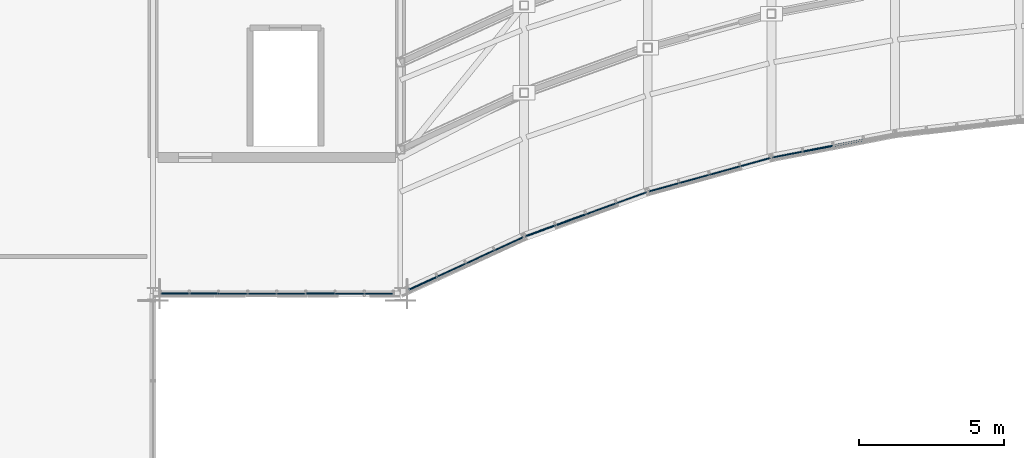
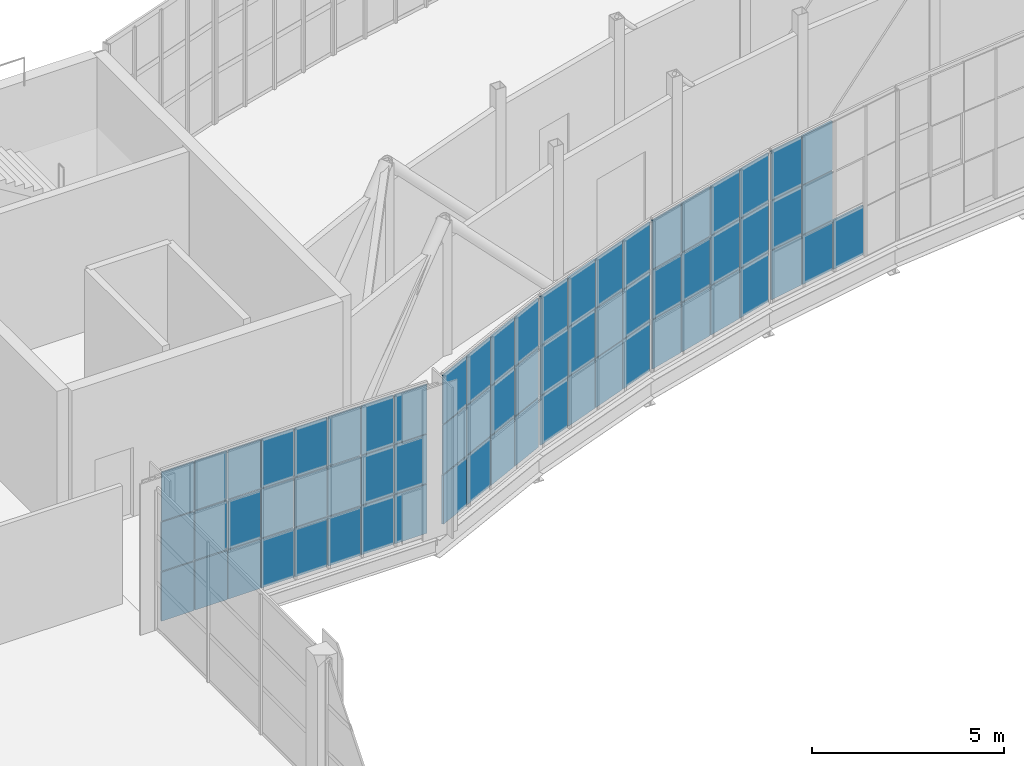
# One storey, part 34 of 46: 67 plates, 5 elements without a shape of their own.
"""IFC4 building model written with IfcOpenShell, lengths in metres."""

from ifc_helpers import new_model, si_unit, direction, frame, origin, origin_2d, place, context, subcontext, project, spatial, rectangle, extrude, material, layer, layer_set, type_object, element, aggregate, save


model = new_model("IFC4")

# Units and contexts
model_context = context("Model", 3, precision=1e-05, world=origin(), true_north=direction((0.0, 1.0)))
body_context = subcontext(model_context, "Body", "Model", "MODEL_VIEW")
ifc_project = project(units=[si_unit("LENGTHUNIT", "METRE"), si_unit("AREAUNIT", "SQUARE_METRE"), si_unit("VOLUMEUNIT", "CUBIC_METRE"), si_unit("PLANEANGLEUNIT", "RADIAN"), si_unit("MASSUNIT", "GRAM", prefix="KILO")], contexts=[model_context])

# Site, building, storey
site_placement = place(None, origin())
site = spatial("IfcSite", under=ifc_project, at=site_placement, CompositionType="ELEMENT")
building_placement = place(site_placement, origin())
building = spatial("IfcBuilding", under=site, at=building_placement, Name="Solvikara Media Centre", CompositionType="ELEMENT")
storey_placement = place(building_placement, frame((0.0, 0.0, 24.60009765625)))
storey = spatial("IfcBuildingStorey", under=building, at=storey_placement, Name="L05", CompositionType="ELEMENT", Elevation=24.60009765625)

# Curtain wall, plates
ifc_material_1 = material(Name="Anodised aluminium EN AW-6063", Category="aluminium")
curtain_wall_type_1 = type_object("IfcCurtainWallType", Name="CW-01", PredefinedType="NOTDEFINED", material=ifc_material_1)
curtain_wall_1_placement = place(storey_placement, origin())
curtain_wall_1 = element("IfcCurtainWall", 1, at=curtain_wall_1_placement, inside=storey, type_object=curtain_wall_type_1, Name="CW-L05-SARC-00", PredefinedType="NOTDEFINED")
ifc_material_2 = material(Name="Laminated solar-control cyan vision glass", Category="glass")
ifc_layer_1 = layer(ifc_material_2, 0.035888671875)
ifc_layer_set_1 = layer_set([ifc_layer_1], Name="Laminated solar-control cyan vision glass")
plate_type_1 = type_object("IfcPlateType", Name="PN-01", PredefinedType="CURTAIN_PANEL", material=ifc_layer_set_1)
plate_1_placement = place(storey_placement, frame((77.277099609375, 19.680908203125, 3.20849609375), z_axis=(0.0, 0.0, 1.0), x_axis=(0.908464413608, 0.417962210264, 0.0)))
plate_1 = element("IfcPlate", 2, at=plate_1_placement, type_object=plate_type_1, Name="CW-L05-SARC-00-P0002", PredefinedType="CURTAIN_PANEL", context=body_context, shape_type="SweptSolid", body=[
    extrude(rectangle(XDim=1.052001953125, YDim=0.035888671875, at=origin_2d()), origin(), (0.0, 0.0, 1.0), 1.556884765625),
])
plate_2_placement = place(storey_placement, frame((78.260009765625, 20.133056640625, 1.62158203125), z_axis=(0.0, 0.0, 1.0), x_axis=(0.908464413608, 0.417962210264, 0.0)))
plate_2 = element("IfcPlate", 3, at=plate_2_placement, type_object=plate_type_1, Name="CW-L05-SARC-00-P0101", PredefinedType="CURTAIN_PANEL", context=body_context, shape_type="SweptSolid", body=[
    extrude(rectangle(XDim=1.052001953125, YDim=0.035888671875, at=origin_2d()), origin(), (0.0, 0.0, 1.0), 1.556884765625),
])
plate_3_placement = place(storey_placement, frame((78.260009765625, 20.133056640625, 3.20849609375), z_axis=(0.0, 0.0, 1.0), x_axis=(0.908464413608, 0.417962210264, 0.0)))
plate_3 = element("IfcPlate", 4, at=plate_3_placement, type_object=plate_type_1, Name="CW-L05-SARC-00-P0102", PredefinedType="CURTAIN_PANEL", context=body_context, shape_type="SweptSolid", body=[
    extrude(rectangle(XDim=1.052001953125, YDim=0.035888671875, at=origin_2d()), origin(), (0.0, 0.0, 1.0), 1.556884765625),
])
plate_4_placement = place(storey_placement, frame((79.242919921875, 20.5859375, 1.62158203125), z_axis=(0.0, 0.0, 1.0), x_axis=(0.908464413608, 0.417962210264, 0.0)))
plate_4 = element("IfcPlate", 5, at=plate_4_placement, type_object=plate_type_1, Name="CW-L05-SARC-00-P0201", PredefinedType="CURTAIN_PANEL", context=body_context, shape_type="SweptSolid", body=[
    extrude(rectangle(XDim=1.052001953125, YDim=0.035888671875, at=origin_2d()), origin(), (0.0, 0.0, 1.0), 1.556884765625),
])
plate_5_placement = place(storey_placement, frame((80.22607421875, 21.0380859375, 3.20849609375), z_axis=(0.0, 0.0, 1.0), x_axis=(0.908464413608, 0.417962210264, 0.0)))
plate_5 = element("IfcPlate", 6, at=plate_5_placement, type_object=plate_type_1, Name="CW-L05-SARC-00-P0302", PredefinedType="CURTAIN_PANEL", context=body_context, shape_type="SweptSolid", body=[
    extrude(rectangle(XDim=1.052001953125, YDim=0.035888671875, at=origin_2d()), origin(), (0.0, 0.0, 1.0), 1.556884765625),
])

curtain_wall_2_placement = place(storey_placement, origin())
curtain_wall_2 = element("IfcCurtainWall", 7, at=curtain_wall_2_placement, inside=storey, type_object=curtain_wall_type_1, Name="CW-L05-SARC-01", PredefinedType="NOTDEFINED")
plate_6_placement = place(storey_placement, frame((81.305908203125, 21.48095703125, 3.20849609375), z_axis=(0.0, 0.0, 1.0), x_axis=(0.939823877818, 0.341659302058, 0.0)))
plate_6 = element("IfcPlate", 8, at=plate_6_placement, type_object=plate_type_1, Name="CW-L05-SARC-01-P0002", PredefinedType="CURTAIN_PANEL", context=body_context, shape_type="SweptSolid", body=[
    extrude(rectangle(XDim=1.0830078125, YDim=0.035888671875, at=origin_2d()), origin(), (0.0, 0.0, 1.0), 1.556884765625),
])
plate_7_placement = place(storey_placement, frame((82.35205078125, 21.861083984375, 0.03466796875), z_axis=(0.0, 0.0, 1.0), x_axis=(0.939823877818, 0.341659302058, 0.0)))
plate_7 = element("IfcPlate", 9, at=plate_7_placement, type_object=plate_type_1, Name="CW-L05-SARC-01-P0100", PredefinedType="CURTAIN_PANEL", context=body_context, shape_type="SweptSolid", body=[
    extrude(rectangle(XDim=1.0830078125, YDim=0.035888671875, at=origin_2d()), origin(), (0.0, 0.0, 1.0), 1.556884765625),
])
plate_8_placement = place(storey_placement, frame((83.39794921875, 22.240966796875, 0.03466796875), z_axis=(0.0, 0.0, 1.0), x_axis=(0.939823877818, 0.341659302058, 0.0)))
plate_8 = element("IfcPlate", 10, at=plate_8_placement, type_object=plate_type_1, Name="CW-L05-SARC-01-P0200", PredefinedType="CURTAIN_PANEL", context=body_context, shape_type="SweptSolid", body=[
    extrude(rectangle(XDim=1.0830078125, YDim=0.035888671875, at=origin_2d()), origin(), (0.0, 0.0, 1.0), 1.556884765625),
])
plate_9_placement = place(storey_placement, frame((83.39794921875, 22.240966796875, 3.20849609375), z_axis=(0.0, 0.0, 1.0), x_axis=(0.939823877818, 0.341659302058, 0.0)))
plate_9 = element("IfcPlate", 11, at=plate_9_placement, type_object=plate_type_1, Name="CW-L05-SARC-01-P0202", PredefinedType="CURTAIN_PANEL", context=body_context, shape_type="SweptSolid", body=[
    extrude(rectangle(XDim=1.0830078125, YDim=0.035888671875, at=origin_2d()), origin(), (0.0, 0.0, 1.0), 1.556884765625),
])
plate_10_placement = place(storey_placement, frame((84.444091796875, 22.6220703125, 0.03466796875), z_axis=(0.0, 0.0, 1.0), x_axis=(0.939823877818, 0.341659302058, 0.0)))
plate_10 = element("IfcPlate", 12, at=plate_10_placement, type_object=plate_type_1, Name="CW-L05-SARC-01-P0300", PredefinedType="CURTAIN_PANEL", context=body_context, shape_type="SweptSolid", body=[
    extrude(rectangle(XDim=1.0830078125, YDim=0.035888671875, at=origin_2d()), origin(), (0.0, 0.0, 1.0), 1.556884765625),
])
plate_11_placement = place(storey_placement, frame((84.444091796875, 22.6220703125, 1.62158203125), z_axis=(0.0, 0.0, 1.0), x_axis=(0.939823877818, 0.341659302058, 0.0)))
plate_11 = element("IfcPlate", 13, at=plate_11_placement, type_object=plate_type_1, Name="CW-L05-SARC-01-P0301", PredefinedType="CURTAIN_PANEL", context=body_context, shape_type="SweptSolid", body=[
    extrude(rectangle(XDim=1.0830078125, YDim=0.035888671875, at=origin_2d()), origin(), (0.0, 0.0, 1.0), 1.556884765625),
])
plate_12_placement = place(storey_placement, frame((84.444091796875, 22.6220703125, 3.20849609375), z_axis=(0.0, 0.0, 1.0), x_axis=(0.939823877818, 0.341659302058, 0.0)))
plate_12 = element("IfcPlate", 14, at=plate_12_placement, type_object=plate_type_1, Name="CW-L05-SARC-01-P0302", PredefinedType="CURTAIN_PANEL", context=body_context, shape_type="SweptSolid", body=[
    extrude(rectangle(XDim=1.0830078125, YDim=0.035888671875, at=origin_2d()), origin(), (0.0, 0.0, 1.0), 1.556884765625),
])

curtain_wall_3_placement = place(storey_placement, origin())
curtain_wall_3 = element("IfcCurtainWall", 15, at=curtain_wall_3_placement, inside=storey, type_object=curtain_wall_type_1, Name="CW-L05-SARC-02", PredefinedType="NOTDEFINED")
plate_13_placement = place(storey_placement, frame((85.555908203125, 22.97705078125, 3.20849609375), z_axis=(0.0, 0.0, 1.0), x_axis=(0.96397015682, 0.26601040724, 0.0)))
plate_13 = element("IfcPlate", 16, at=plate_13_placement, type_object=plate_type_1, Name="CW-L05-SARC-02-P0002", PredefinedType="CURTAIN_PANEL", context=body_context, shape_type="SweptSolid", body=[
    extrude(rectangle(XDim=1.054931640625, YDim=0.035888671875, at=origin_2d()), origin(), (0.0, 0.0, 1.0), 1.556884765625),
])
plate_14_placement = place(storey_placement, frame((86.60205078125, 23.26611328125, 1.62158203125), z_axis=(0.0, 0.0, 1.0), x_axis=(0.96397015682, 0.26601040724, 0.0)))
plate_14 = element("IfcPlate", 17, at=plate_14_placement, type_object=plate_type_1, Name="CW-L05-SARC-02-P0101", PredefinedType="CURTAIN_PANEL", context=body_context, shape_type="SweptSolid", body=[
    extrude(rectangle(XDim=1.054931640625, YDim=0.035888671875, at=origin_2d()), origin(), (0.0, 0.0, 1.0), 1.556884765625),
])
plate_15_placement = place(storey_placement, frame((88.693115234375, 23.843017578125, 0.03466796875), z_axis=(0.0, 0.0, 1.0), x_axis=(0.96397015682, 0.26601040724, 0.0)))
plate_15 = element("IfcPlate", 18, at=plate_15_placement, type_object=plate_type_1, Name="CW-L05-SARC-02-P0300", PredefinedType="CURTAIN_PANEL", context=body_context, shape_type="SweptSolid", body=[
    extrude(rectangle(XDim=1.054931640625, YDim=0.035888671875, at=origin_2d()), origin(), (0.0, 0.0, 1.0), 1.556884765625),
])
plate_16_placement = place(storey_placement, frame((88.693115234375, 23.843017578125, 3.20849609375), z_axis=(0.0, 0.0, 1.0), x_axis=(0.96397015682, 0.26601040724, 0.0)))
plate_16 = element("IfcPlate", 19, at=plate_16_placement, type_object=plate_type_1, Name="CW-L05-SARC-02-P0302", PredefinedType="CURTAIN_PANEL", context=body_context, shape_type="SweptSolid", body=[
    extrude(rectangle(XDim=1.054931640625, YDim=0.035888671875, at=origin_2d()), origin(), (0.0, 0.0, 1.0), 1.556884765625),
])

curtain_wall_4_placement = place(storey_placement, origin())
curtain_wall_4 = element("IfcCurtainWall", 20, at=curtain_wall_4_placement, inside=storey, type_object=curtain_wall_type_1, Name="CW-L05-SARC-03", PredefinedType="NOTDEFINED")
plate_17_placement = place(storey_placement, frame((89.805908203125, 24.10400390625, 0.03466796875), z_axis=(0.0, 0.0, 1.0), x_axis=(0.981843017659, 0.189695252114, 0.0)))
plate_17 = element("IfcPlate", 21, at=plate_17_placement, type_object=plate_type_1, Name="CW-L05-SARC-03-P0000", PredefinedType="CURTAIN_PANEL", context=body_context, shape_type="SweptSolid", body=[
    extrude(rectangle(XDim=1.034912109375, YDim=0.035888671875, at=origin_2d()), origin(), (0.0, 0.0, 1.0), 1.556884765625),
])
plate_18_placement = place(storey_placement, frame((89.805908203125, 24.10400390625, 1.62158203125), z_axis=(0.0, 0.0, 1.0), x_axis=(0.981843017659, 0.189695252114, 0.0)))
plate_18 = element("IfcPlate", 22, at=plate_18_placement, type_object=plate_type_1, Name="CW-L05-SARC-03-P0001", PredefinedType="CURTAIN_PANEL", context=body_context, shape_type="SweptSolid", body=[
    extrude(rectangle(XDim=1.034912109375, YDim=0.035888671875, at=origin_2d()), origin(), (0.0, 0.0, 1.0), 1.556884765625),
])

curtain_wall_type_2 = type_object("IfcCurtainWallType", Name="CW-10", PredefinedType="NOTDEFINED", material=ifc_material_1)
curtain_wall_5_placement = place(storey_placement, origin())
curtain_wall_5 = element("IfcCurtainWall", 23, at=curtain_wall_5_placement, inside=storey, type_object=curtain_wall_type_2, Name="CW-L05-BHWS", PredefinedType="NOTDEFINED")
plate_19_placement = place(storey_placement, frame((68.743896484375, 19.323974609375, 3.20849609375), z_axis=(0.0, 0.0, 1.0), x_axis=(1.0, 0.0, 0.0)))
plate_19 = element("IfcPlate", 24, at=plate_19_placement, type_object=plate_type_1, Name="CW-L05-BHWS-P0002", PredefinedType="CURTAIN_PANEL", context=body_context, shape_type="SweptSolid", body=[
    extrude(rectangle(XDim=0.971923828125, YDim=0.035888671875, at=origin_2d()), origin(), (0.0, 0.0, 1.0), 1.556884765625),
])
plate_20_placement = place(storey_placement, frame((69.74609375, 19.323974609375, 1.62158203125), z_axis=(0.0, 0.0, 1.0), x_axis=(1.0, 0.0, 0.0)))
plate_20 = element("IfcPlate", 25, at=plate_20_placement, type_object=plate_type_1, Name="CW-L05-BHWS-P0101", PredefinedType="CURTAIN_PANEL", context=body_context, shape_type="SweptSolid", body=[
    extrude(rectangle(XDim=0.971923828125, YDim=0.035888671875, at=origin_2d()), origin(), (0.0, 0.0, 1.0), 1.556884765625),
])
plate_21_placement = place(storey_placement, frame((69.74609375, 19.323974609375, 3.20849609375), z_axis=(0.0, 0.0, 1.0), x_axis=(1.0, 0.0, 0.0)))
plate_21 = element("IfcPlate", 26, at=plate_21_placement, type_object=plate_type_1, Name="CW-L05-BHWS-P0102", PredefinedType="CURTAIN_PANEL", context=body_context, shape_type="SweptSolid", body=[
    extrude(rectangle(XDim=0.971923828125, YDim=0.035888671875, at=origin_2d()), origin(), (0.0, 0.0, 1.0), 1.556884765625),
])
plate_22_placement = place(storey_placement, frame((70.7470703125, 19.323974609375, 1.62158203125), z_axis=(0.0, 0.0, 1.0), x_axis=(1.0, 0.0, 0.0)))
plate_22 = element("IfcPlate", 27, at=plate_22_placement, type_object=plate_type_1, Name="CW-L05-BHWS-P0201", PredefinedType="CURTAIN_PANEL", context=body_context, shape_type="SweptSolid", body=[
    extrude(rectangle(XDim=0.971923828125, YDim=0.035888671875, at=origin_2d()), origin(), (0.0, 0.0, 1.0), 1.556884765625),
])
plate_23_placement = place(storey_placement, frame((70.7470703125, 19.323974609375, 3.20849609375), z_axis=(0.0, 0.0, 1.0), x_axis=(1.0, 0.0, 0.0)))
plate_23 = element("IfcPlate", 28, at=plate_23_placement, type_object=plate_type_1, Name="CW-L05-BHWS-P0202", PredefinedType="CURTAIN_PANEL", context=body_context, shape_type="SweptSolid", body=[
    extrude(rectangle(XDim=0.971923828125, YDim=0.035888671875, at=origin_2d()), origin(), (0.0, 0.0, 1.0), 1.556884765625),
])
plate_24_placement = place(storey_placement, frame((71.7490234375, 19.323974609375, 1.62158203125), z_axis=(0.0, 0.0, 1.0), x_axis=(1.0, 0.0, 0.0)))
plate_24 = element("IfcPlate", 29, at=plate_24_placement, type_object=plate_type_1, Name="CW-L05-BHWS-P0301", PredefinedType="CURTAIN_PANEL", context=body_context, shape_type="SweptSolid", body=[
    extrude(rectangle(XDim=0.971923828125, YDim=0.035888671875, at=origin_2d()), origin(), (0.0, 0.0, 1.0), 1.556884765625),
])
plate_25_placement = place(storey_placement, frame((71.7490234375, 19.323974609375, 3.20849609375), z_axis=(0.0, 0.0, 1.0), x_axis=(1.0, 0.0, 0.0)))
plate_25 = element("IfcPlate", 30, at=plate_25_placement, type_object=plate_type_1, Name="CW-L05-BHWS-P0302", PredefinedType="CURTAIN_PANEL", context=body_context, shape_type="SweptSolid", body=[
    extrude(rectangle(XDim=0.971923828125, YDim=0.035888671875, at=origin_2d()), origin(), (0.0, 0.0, 1.0), 1.556884765625),
])
plate_26_placement = place(storey_placement, frame((72.7509765625, 19.323974609375, 3.20849609375), z_axis=(0.0, 0.0, 1.0), x_axis=(1.0, 0.0, 0.0)))
plate_26 = element("IfcPlate", 31, at=plate_26_placement, type_object=plate_type_1, Name="CW-L05-BHWS-P0402", PredefinedType="CURTAIN_PANEL", context=body_context, shape_type="SweptSolid", body=[
    extrude(rectangle(XDim=0.971923828125, YDim=0.035888671875, at=origin_2d()), origin(), (0.0, 0.0, 1.0), 1.556884765625),
])
plate_27_placement = place(storey_placement, frame((73.7529296875, 19.323974609375, 3.20849609375), z_axis=(0.0, 0.0, 1.0), x_axis=(1.0, 0.0, 0.0)))
plate_27 = element("IfcPlate", 32, at=plate_27_placement, type_object=plate_type_1, Name="CW-L05-BHWS-P0502", PredefinedType="CURTAIN_PANEL", context=body_context, shape_type="SweptSolid", body=[
    extrude(rectangle(XDim=0.971923828125, YDim=0.035888671875, at=origin_2d()), origin(), (0.0, 0.0, 1.0), 1.556884765625),
])
plate_28_placement = place(storey_placement, frame((75.756103515625, 19.323974609375, 1.62158203125), z_axis=(0.0, 0.0, 1.0), x_axis=(1.0, 0.0, 0.0)))
plate_28 = element("IfcPlate", 33, at=plate_28_placement, type_object=plate_type_1, Name="CW-L05-BHWS-P0701", PredefinedType="CURTAIN_PANEL", context=body_context, shape_type="SweptSolid", body=[
    extrude(rectangle(XDim=0.971923828125, YDim=0.035888671875, at=origin_2d()), origin(), (0.0, 0.0, 1.0), 1.556884765625),
])

# Plate
ifc_material_3 = material(Name="Ceramic-fritted teal low-E glass", Category="glass")
ifc_layer_2 = layer(ifc_material_3, 0.0419921875)
ifc_layer_set_2 = layer_set([ifc_layer_2], Name="Ceramic-fritted teal low-E glass")
plate_type_2 = type_object("IfcPlateType", Name="PN-02", PredefinedType="CURTAIN_PANEL", material=ifc_layer_set_2)
plate_29_placement = place(storey_placement, frame((77.277099609375, 19.680908203125, 1.62158203125), z_axis=(0.0, 0.0, 1.0), x_axis=(0.908464413608, 0.417962210264, 0.0)))
plate_29 = element("IfcPlate", 34, at=plate_29_placement, type_object=plate_type_2, Name="CW-L05-SARC-00-P0001", PredefinedType="CURTAIN_PANEL", context=body_context, shape_type="SweptSolid", body=[
    extrude(rectangle(XDim=1.052001953125, YDim=0.0419921875, at=origin_2d()), origin(), (0.0, 0.0, 1.0), 1.556884765625),
])

plate_30_placement = place(storey_placement, frame((78.260009765625, 20.133056640625, 0.03466796875), z_axis=(0.0, 0.0, 1.0), x_axis=(0.908464413608, 0.417962210264, 0.0)))
plate_30 = element("IfcPlate", 35, at=plate_30_placement, type_object=plate_type_2, Name="CW-L05-SARC-00-P0100", PredefinedType="CURTAIN_PANEL", context=body_context, shape_type="SweptSolid", body=[
    extrude(rectangle(XDim=1.052001953125, YDim=0.0419921875, at=origin_2d()), origin(), (0.0, 0.0, 1.0), 1.556884765625),
])

plate_31_placement = place(storey_placement, frame((79.242919921875, 20.5859375, 0.03466796875), z_axis=(0.0, 0.0, 1.0), x_axis=(0.908464413608, 0.417962210264, 0.0)))
plate_31 = element("IfcPlate", 36, at=plate_31_placement, type_object=plate_type_2, Name="CW-L05-SARC-00-P0200", PredefinedType="CURTAIN_PANEL", context=body_context, shape_type="SweptSolid", body=[
    extrude(rectangle(XDim=1.052001953125, YDim=0.0419921875, at=origin_2d()), origin(), (0.0, 0.0, 1.0), 1.556884765625),
])

plate_32_placement = place(storey_placement, frame((79.242919921875, 20.5859375, 3.20849609375), z_axis=(0.0, 0.0, 1.0), x_axis=(0.908464413608, 0.417962210264, 0.0)))
plate_32 = element("IfcPlate", 37, at=plate_32_placement, type_object=plate_type_2, Name="CW-L05-SARC-00-P0202", PredefinedType="CURTAIN_PANEL", context=body_context, shape_type="SweptSolid", body=[
    extrude(rectangle(XDim=1.052001953125, YDim=0.0419921875, at=origin_2d()), origin(), (0.0, 0.0, 1.0), 1.556884765625),
])

plate_33_placement = place(storey_placement, frame((80.22607421875, 21.0380859375, 0.03466796875), z_axis=(0.0, 0.0, 1.0), x_axis=(0.908464413608, 0.417962210264, 0.0)))
plate_33 = element("IfcPlate", 38, at=plate_33_placement, type_object=plate_type_2, Name="CW-L05-SARC-00-P0300", PredefinedType="CURTAIN_PANEL", context=body_context, shape_type="SweptSolid", body=[
    extrude(rectangle(XDim=1.052001953125, YDim=0.0419921875, at=origin_2d()), origin(), (0.0, 0.0, 1.0), 1.556884765625),
])

plate_34_placement = place(storey_placement, frame((80.22607421875, 21.0380859375, 1.62158203125), z_axis=(0.0, 0.0, 1.0), x_axis=(0.908464413608, 0.417962210264, 0.0)))
plate_34 = element("IfcPlate", 39, at=plate_34_placement, type_object=plate_type_2, Name="CW-L05-SARC-00-P0301", PredefinedType="CURTAIN_PANEL", context=body_context, shape_type="SweptSolid", body=[
    extrude(rectangle(XDim=1.052001953125, YDim=0.0419921875, at=origin_2d()), origin(), (0.0, 0.0, 1.0), 1.556884765625),
])

plate_35_placement = place(storey_placement, frame((81.305908203125, 21.48095703125, 0.03466796875), z_axis=(0.0, 0.0, 1.0), x_axis=(0.939823877818, 0.341659302058, 0.0)))
plate_35 = element("IfcPlate", 40, at=plate_35_placement, type_object=plate_type_2, Name="CW-L05-SARC-01-P0000", PredefinedType="CURTAIN_PANEL", context=body_context, shape_type="SweptSolid", body=[
    extrude(rectangle(XDim=1.0830078125, YDim=0.0419921875, at=origin_2d()), origin(), (0.0, 0.0, 1.0), 1.556884765625),
])

plate_36_placement = place(storey_placement, frame((82.35205078125, 21.861083984375, 1.62158203125), z_axis=(0.0, 0.0, 1.0), x_axis=(0.939823877818, 0.341659302058, 0.0)))
plate_36 = element("IfcPlate", 41, at=plate_36_placement, type_object=plate_type_2, Name="CW-L05-SARC-01-P0101", PredefinedType="CURTAIN_PANEL", context=body_context, shape_type="SweptSolid", body=[
    extrude(rectangle(XDim=1.0830078125, YDim=0.0419921875, at=origin_2d()), origin(), (0.0, 0.0, 1.0), 1.556884765625),
])

plate_37_placement = place(storey_placement, frame((83.39794921875, 22.240966796875, 1.62158203125), z_axis=(0.0, 0.0, 1.0), x_axis=(0.939823877818, 0.341659302058, 0.0)))
plate_37 = element("IfcPlate", 42, at=plate_37_placement, type_object=plate_type_2, Name="CW-L05-SARC-01-P0201", PredefinedType="CURTAIN_PANEL", context=body_context, shape_type="SweptSolid", body=[
    extrude(rectangle(XDim=1.0830078125, YDim=0.0419921875, at=origin_2d()), origin(), (0.0, 0.0, 1.0), 1.556884765625),
])

plate_38_placement = place(storey_placement, frame((85.555908203125, 22.97705078125, 0.03466796875), z_axis=(0.0, 0.0, 1.0), x_axis=(0.96397015682, 0.26601040724, 0.0)))
plate_38 = element("IfcPlate", 43, at=plate_38_placement, type_object=plate_type_2, Name="CW-L05-SARC-02-P0000", PredefinedType="CURTAIN_PANEL", context=body_context, shape_type="SweptSolid", body=[
    extrude(rectangle(XDim=1.054931640625, YDim=0.0419921875, at=origin_2d()), origin(), (0.0, 0.0, 1.0), 1.556884765625),
])

plate_39_placement = place(storey_placement, frame((85.555908203125, 22.97705078125, 1.62158203125), z_axis=(0.0, 0.0, 1.0), x_axis=(0.96397015682, 0.26601040724, 0.0)))
plate_39 = element("IfcPlate", 44, at=plate_39_placement, type_object=plate_type_2, Name="CW-L05-SARC-02-P0001", PredefinedType="CURTAIN_PANEL", context=body_context, shape_type="SweptSolid", body=[
    extrude(rectangle(XDim=1.054931640625, YDim=0.0419921875, at=origin_2d()), origin(), (0.0, 0.0, 1.0), 1.556884765625),
])

plate_40_placement = place(storey_placement, frame((86.60205078125, 23.26611328125, 0.03466796875), z_axis=(0.0, 0.0, 1.0), x_axis=(0.96397015682, 0.26601040724, 0.0)))
plate_40 = element("IfcPlate", 45, at=plate_40_placement, type_object=plate_type_2, Name="CW-L05-SARC-02-P0100", PredefinedType="CURTAIN_PANEL", context=body_context, shape_type="SweptSolid", body=[
    extrude(rectangle(XDim=1.054931640625, YDim=0.0419921875, at=origin_2d()), origin(), (0.0, 0.0, 1.0), 1.556884765625),
])

plate_41_placement = place(storey_placement, frame((86.60205078125, 23.26611328125, 3.20849609375), z_axis=(0.0, 0.0, 1.0), x_axis=(0.96397015682, 0.26601040724, 0.0)))
plate_41 = element("IfcPlate", 46, at=plate_41_placement, type_object=plate_type_2, Name="CW-L05-SARC-02-P0102", PredefinedType="CURTAIN_PANEL", context=body_context, shape_type="SweptSolid", body=[
    extrude(rectangle(XDim=1.054931640625, YDim=0.0419921875, at=origin_2d()), origin(), (0.0, 0.0, 1.0), 1.556884765625),
])

plate_42_placement = place(storey_placement, frame((87.64697265625, 23.553955078125, 0.03466796875), z_axis=(0.0, 0.0, 1.0), x_axis=(0.96397015682, 0.26601040724, 0.0)))
plate_42 = element("IfcPlate", 47, at=plate_42_placement, type_object=plate_type_2, Name="CW-L05-SARC-02-P0200", PredefinedType="CURTAIN_PANEL", context=body_context, shape_type="SweptSolid", body=[
    extrude(rectangle(XDim=1.054931640625, YDim=0.0419921875, at=origin_2d()), origin(), (0.0, 0.0, 1.0), 1.556884765625),
])

plate_43_placement = place(storey_placement, frame((87.64697265625, 23.553955078125, 1.62158203125), z_axis=(0.0, 0.0, 1.0), x_axis=(0.96397015682, 0.26601040724, 0.0)))
plate_43 = element("IfcPlate", 48, at=plate_43_placement, type_object=plate_type_2, Name="CW-L05-SARC-02-P0201", PredefinedType="CURTAIN_PANEL", context=body_context, shape_type="SweptSolid", body=[
    extrude(rectangle(XDim=1.054931640625, YDim=0.0419921875, at=origin_2d()), origin(), (0.0, 0.0, 1.0), 1.556884765625),
])

plate_44_placement = place(storey_placement, frame((87.64697265625, 23.553955078125, 3.20849609375), z_axis=(0.0, 0.0, 1.0), x_axis=(0.96397015682, 0.26601040724, 0.0)))
plate_44 = element("IfcPlate", 49, at=plate_44_placement, type_object=plate_type_2, Name="CW-L05-SARC-02-P0202", PredefinedType="CURTAIN_PANEL", context=body_context, shape_type="SweptSolid", body=[
    extrude(rectangle(XDim=1.054931640625, YDim=0.0419921875, at=origin_2d()), origin(), (0.0, 0.0, 1.0), 1.556884765625),
])

plate_45_placement = place(storey_placement, frame((88.693115234375, 23.843017578125, 1.62158203125), z_axis=(0.0, 0.0, 1.0), x_axis=(0.96397015682, 0.26601040724, 0.0)))
plate_45 = element("IfcPlate", 50, at=plate_45_placement, type_object=plate_type_2, Name="CW-L05-SARC-02-P0301", PredefinedType="CURTAIN_PANEL", context=body_context, shape_type="SweptSolid", body=[
    extrude(rectangle(XDim=1.054931640625, YDim=0.0419921875, at=origin_2d()), origin(), (0.0, 0.0, 1.0), 1.556884765625),
])

aggregate(curtain_wall_3, [plate_38, plate_39, plate_13, plate_40, plate_14, plate_41, plate_42, plate_43, plate_44, plate_15, plate_45, plate_16])

plate_46_placement = place(storey_placement, frame((89.805908203125, 24.10400390625, 3.20849609375), z_axis=(0.0, 0.0, 1.0), x_axis=(0.981843017659, 0.189695252114, 0.0)))
plate_46 = element("IfcPlate", 51, at=plate_46_placement, type_object=plate_type_2, Name="CW-L05-SARC-03-P0002", PredefinedType="CURTAIN_PANEL", context=body_context, shape_type="SweptSolid", body=[
    extrude(rectangle(XDim=1.034912109375, YDim=0.0419921875, at=origin_2d()), origin(), (0.0, 0.0, 1.0), 1.556884765625),
])

plate_47_placement = place(storey_placement, frame((90.85205078125, 24.305908203125, 0.03466796875), z_axis=(0.0, 0.0, 1.0), x_axis=(0.981843017659, 0.189695252114, 0.0)))
plate_47 = element("IfcPlate", 52, at=plate_47_placement, type_object=plate_type_2, Name="CW-L05-SARC-03-P0100", PredefinedType="CURTAIN_PANEL", context=body_context, shape_type="SweptSolid", body=[
    extrude(rectangle(XDim=1.034912109375, YDim=0.0419921875, at=origin_2d()), origin(), (0.0, 0.0, 1.0), 1.556884765625),
])

plate_48_placement = place(storey_placement, frame((90.85205078125, 24.305908203125, 1.62158203125), z_axis=(0.0, 0.0, 1.0), x_axis=(0.981843017659, 0.189695252114, 0.0)))
plate_48 = element("IfcPlate", 53, at=plate_48_placement, type_object=plate_type_2, Name="CW-L05-SARC-03-P0101", PredefinedType="CURTAIN_PANEL", context=body_context, shape_type="SweptSolid", body=[
    extrude(rectangle(XDim=1.034912109375, YDim=0.0419921875, at=origin_2d()), origin(), (0.0, 0.0, 1.0), 1.556884765625),
])

plate_49_placement = place(storey_placement, frame((68.743896484375, 19.323974609375, 1.62158203125), z_axis=(0.0, 0.0, 1.0), x_axis=(1.0, 0.0, 0.0)))
plate_49 = element("IfcPlate", 54, at=plate_49_placement, type_object=plate_type_2, Name="CW-L05-BHWS-P0001", PredefinedType="CURTAIN_PANEL", context=body_context, shape_type="SweptSolid", body=[
    extrude(rectangle(XDim=0.971923828125, YDim=0.0419921875, at=origin_2d()), origin(), (0.0, 0.0, 1.0), 1.556884765625),
])

plate_50_placement = place(storey_placement, frame((70.7470703125, 19.323974609375, 0.03466796875), z_axis=(0.0, 0.0, 1.0), x_axis=(1.0, 0.0, 0.0)))
plate_50 = element("IfcPlate", 55, at=plate_50_placement, type_object=plate_type_2, Name="CW-L05-BHWS-P0200", PredefinedType="CURTAIN_PANEL", context=body_context, shape_type="SweptSolid", body=[
    extrude(rectangle(XDim=0.971923828125, YDim=0.0419921875, at=origin_2d()), origin(), (0.0, 0.0, 1.0), 1.556884765625),
])

plate_51_placement = place(storey_placement, frame((71.7490234375, 19.323974609375, 0.03466796875), z_axis=(0.0, 0.0, 1.0), x_axis=(1.0, 0.0, 0.0)))
plate_51 = element("IfcPlate", 56, at=plate_51_placement, type_object=plate_type_2, Name="CW-L05-BHWS-P0300", PredefinedType="CURTAIN_PANEL", context=body_context, shape_type="SweptSolid", body=[
    extrude(rectangle(XDim=0.971923828125, YDim=0.0419921875, at=origin_2d()), origin(), (0.0, 0.0, 1.0), 1.556884765625),
])

plate_52_placement = place(storey_placement, frame((72.7509765625, 19.323974609375, 0.03466796875), z_axis=(0.0, 0.0, 1.0), x_axis=(1.0, 0.0, 0.0)))
plate_52 = element("IfcPlate", 57, at=plate_52_placement, type_object=plate_type_2, Name="CW-L05-BHWS-P0400", PredefinedType="CURTAIN_PANEL", context=body_context, shape_type="SweptSolid", body=[
    extrude(rectangle(XDim=0.971923828125, YDim=0.0419921875, at=origin_2d()), origin(), (0.0, 0.0, 1.0), 1.556884765625),
])

plate_53_placement = place(storey_placement, frame((72.7509765625, 19.323974609375, 1.62158203125), z_axis=(0.0, 0.0, 1.0), x_axis=(1.0, 0.0, 0.0)))
plate_53 = element("IfcPlate", 58, at=plate_53_placement, type_object=plate_type_2, Name="CW-L05-BHWS-P0401", PredefinedType="CURTAIN_PANEL", context=body_context, shape_type="SweptSolid", body=[
    extrude(rectangle(XDim=0.971923828125, YDim=0.0419921875, at=origin_2d()), origin(), (0.0, 0.0, 1.0), 1.556884765625),
])

plate_54_placement = place(storey_placement, frame((74.75390625, 19.323974609375, 0.03466796875), z_axis=(0.0, 0.0, 1.0), x_axis=(1.0, 0.0, 0.0)))
plate_54 = element("IfcPlate", 59, at=plate_54_placement, type_object=plate_type_2, Name="CW-L05-BHWS-P0600", PredefinedType="CURTAIN_PANEL", context=body_context, shape_type="SweptSolid", body=[
    extrude(rectangle(XDim=0.971923828125, YDim=0.0419921875, at=origin_2d()), origin(), (0.0, 0.0, 1.0), 1.556884765625),
])

plate_55_placement = place(storey_placement, frame((74.75390625, 19.323974609375, 1.62158203125), z_axis=(0.0, 0.0, 1.0), x_axis=(1.0, 0.0, 0.0)))
plate_55 = element("IfcPlate", 60, at=plate_55_placement, type_object=plate_type_2, Name="CW-L05-BHWS-P0601", PredefinedType="CURTAIN_PANEL", context=body_context, shape_type="SweptSolid", body=[
    extrude(rectangle(XDim=0.971923828125, YDim=0.0419921875, at=origin_2d()), origin(), (0.0, 0.0, 1.0), 1.556884765625),
])

plate_56_placement = place(storey_placement, frame((74.75390625, 19.323974609375, 3.20849609375), z_axis=(0.0, 0.0, 1.0), x_axis=(1.0, 0.0, 0.0)))
plate_56 = element("IfcPlate", 61, at=plate_56_placement, type_object=plate_type_2, Name="CW-L05-BHWS-P0602", PredefinedType="CURTAIN_PANEL", context=body_context, shape_type="SweptSolid", body=[
    extrude(rectangle(XDim=0.971923828125, YDim=0.0419921875, at=origin_2d()), origin(), (0.0, 0.0, 1.0), 1.556884765625),
])

plate_57_placement = place(storey_placement, frame((75.756103515625, 19.323974609375, 0.03466796875), z_axis=(0.0, 0.0, 1.0), x_axis=(1.0, 0.0, 0.0)))
plate_57 = element("IfcPlate", 62, at=plate_57_placement, type_object=plate_type_2, Name="CW-L05-BHWS-P0700", PredefinedType="CURTAIN_PANEL", context=body_context, shape_type="SweptSolid", body=[
    extrude(rectangle(XDim=0.971923828125, YDim=0.0419921875, at=origin_2d()), origin(), (0.0, 0.0, 1.0), 1.556884765625),
])

plate_58_placement = place(storey_placement, frame((75.756103515625, 19.323974609375, 3.20849609375), z_axis=(0.0, 0.0, 1.0), x_axis=(1.0, 0.0, 0.0)))
plate_58 = element("IfcPlate", 63, at=plate_58_placement, type_object=plate_type_2, Name="CW-L05-BHWS-P0702", PredefinedType="CURTAIN_PANEL", context=body_context, shape_type="SweptSolid", body=[
    extrude(rectangle(XDim=0.971923828125, YDim=0.0419921875, at=origin_2d()), origin(), (0.0, 0.0, 1.0), 1.556884765625),
])

ifc_material_4 = material(Name="Insulated silver-pearl glass spandrel panel", Category="glass")
ifc_layer_3 = layer(ifc_material_4, 0.054931640625)
ifc_layer_set_3 = layer_set([ifc_layer_3], Name="Insulated silver-pearl glass spandrel panel")
plate_type_3 = type_object("IfcPlateType", Name="PN-03", PredefinedType="CURTAIN_PANEL", material=ifc_layer_set_3)
plate_59_placement = place(storey_placement, frame((77.277099609375, 19.680908203125, 0.03466796875), z_axis=(0.0, 0.0, 1.0), x_axis=(0.908464413608, 0.417962210264, 0.0)))
plate_59 = element("IfcPlate", 64, at=plate_59_placement, type_object=plate_type_3, Name="CW-L05-SARC-00-P0000", PredefinedType="CURTAIN_PANEL", context=body_context, shape_type="SweptSolid", body=[
    extrude(rectangle(XDim=1.052001953125, YDim=0.054931640625, at=origin_2d()), origin(), (0.0, 0.0, 1.0), 1.556884765625),
])

aggregate(curtain_wall_1, [plate_59, plate_29, plate_1, plate_30, plate_2, plate_3, plate_31, plate_4, plate_32, plate_33, plate_34, plate_5])

plate_60_placement = place(storey_placement, frame((81.305908203125, 21.48095703125, 1.62158203125), z_axis=(0.0, 0.0, 1.0), x_axis=(0.939823877818, 0.341659302058, 0.0)))
plate_60 = element("IfcPlate", 65, at=plate_60_placement, type_object=plate_type_3, Name="CW-L05-SARC-01-P0001", PredefinedType="CURTAIN_PANEL", context=body_context, shape_type="SweptSolid", body=[
    extrude(rectangle(XDim=1.0830078125, YDim=0.054931640625, at=origin_2d()), origin(), (0.0, 0.0, 1.0), 1.556884765625),
])

plate_61_placement = place(storey_placement, frame((82.35205078125, 21.861083984375, 3.20849609375), z_axis=(0.0, 0.0, 1.0), x_axis=(0.939823877818, 0.341659302058, 0.0)))
plate_61 = element("IfcPlate", 66, at=plate_61_placement, type_object=plate_type_3, Name="CW-L05-SARC-01-P0102", PredefinedType="CURTAIN_PANEL", context=body_context, shape_type="SweptSolid", body=[
    extrude(rectangle(XDim=1.0830078125, YDim=0.054931640625, at=origin_2d()), origin(), (0.0, 0.0, 1.0), 1.556884765625),
])

aggregate(curtain_wall_2, [plate_35, plate_60, plate_6, plate_7, plate_36, plate_61, plate_8, plate_37, plate_9, plate_10, plate_11, plate_12])

plate_62_placement = place(storey_placement, frame((90.85205078125, 24.305908203125, 3.20849609375), z_axis=(0.0, 0.0, 1.0), x_axis=(0.981843017659, 0.189695252114, 0.0)))
plate_62 = element("IfcPlate", 67, at=plate_62_placement, type_object=plate_type_3, Name="CW-L05-SARC-03-P0102", PredefinedType="CURTAIN_PANEL", context=body_context, shape_type="SweptSolid", body=[
    extrude(rectangle(XDim=1.034912109375, YDim=0.054931640625, at=origin_2d()), origin(), (0.0, 0.0, 1.0), 1.556884765625),
])

plate_63_placement = place(storey_placement, frame((91.89794921875, 24.508056640625, 0.03466796875), z_axis=(0.0, 0.0, 1.0), x_axis=(0.981843017659, 0.189695252114, 0.0)))
plate_63 = element("IfcPlate", 68, at=plate_63_placement, type_object=plate_type_3, Name="CW-L05-SARC-03-P0200", PredefinedType="CURTAIN_PANEL", context=body_context, shape_type="SweptSolid", body=[
    extrude(rectangle(XDim=1.034912109375, YDim=0.054931640625, at=origin_2d()), origin(), (0.0, 0.0, 1.0), 1.556884765625),
])

aggregate(curtain_wall_4, [plate_17, plate_18, plate_46, plate_47, plate_48, plate_62, plate_63])

plate_64_placement = place(storey_placement, frame((68.743896484375, 19.323974609375, 0.03466796875), z_axis=(0.0, 0.0, 1.0), x_axis=(1.0, 0.0, 0.0)))
plate_64 = element("IfcPlate", 69, at=plate_64_placement, type_object=plate_type_3, Name="CW-L05-BHWS-P0000", PredefinedType="CURTAIN_PANEL", context=body_context, shape_type="SweptSolid", body=[
    extrude(rectangle(XDim=0.971923828125, YDim=0.054931640625, at=origin_2d()), origin(), (0.0, 0.0, 1.0), 1.556884765625),
])

plate_65_placement = place(storey_placement, frame((69.74609375, 19.323974609375, 0.03466796875), z_axis=(0.0, 0.0, 1.0), x_axis=(1.0, 0.0, 0.0)))
plate_65 = element("IfcPlate", 70, at=plate_65_placement, type_object=plate_type_3, Name="CW-L05-BHWS-P0100", PredefinedType="CURTAIN_PANEL", context=body_context, shape_type="SweptSolid", body=[
    extrude(rectangle(XDim=0.971923828125, YDim=0.054931640625, at=origin_2d()), origin(), (0.0, 0.0, 1.0), 1.556884765625),
])

plate_66_placement = place(storey_placement, frame((73.7529296875, 19.323974609375, 0.03466796875), z_axis=(0.0, 0.0, 1.0), x_axis=(1.0, 0.0, 0.0)))
plate_66 = element("IfcPlate", 71, at=plate_66_placement, type_object=plate_type_3, Name="CW-L05-BHWS-P0500", PredefinedType="CURTAIN_PANEL", context=body_context, shape_type="SweptSolid", body=[
    extrude(rectangle(XDim=0.971923828125, YDim=0.054931640625, at=origin_2d()), origin(), (0.0, 0.0, 1.0), 1.556884765625),
])

plate_67_placement = place(storey_placement, frame((73.7529296875, 19.323974609375, 1.62158203125), z_axis=(0.0, 0.0, 1.0), x_axis=(1.0, 0.0, 0.0)))
plate_67 = element("IfcPlate", 72, at=plate_67_placement, type_object=plate_type_3, Name="CW-L05-BHWS-P0501", PredefinedType="CURTAIN_PANEL", context=body_context, shape_type="SweptSolid", body=[
    extrude(rectangle(XDim=0.971923828125, YDim=0.054931640625, at=origin_2d()), origin(), (0.0, 0.0, 1.0), 1.556884765625),
])

aggregate(curtain_wall_5, [plate_64, plate_49, plate_19, plate_65, plate_20, plate_21, plate_50, plate_22, plate_23, plate_51, plate_24, plate_25, plate_52, plate_53, plate_26, plate_66, plate_67, plate_27, plate_54, plate_55, plate_56, plate_57, plate_28, plate_58])

save(model, "model.ifc")
